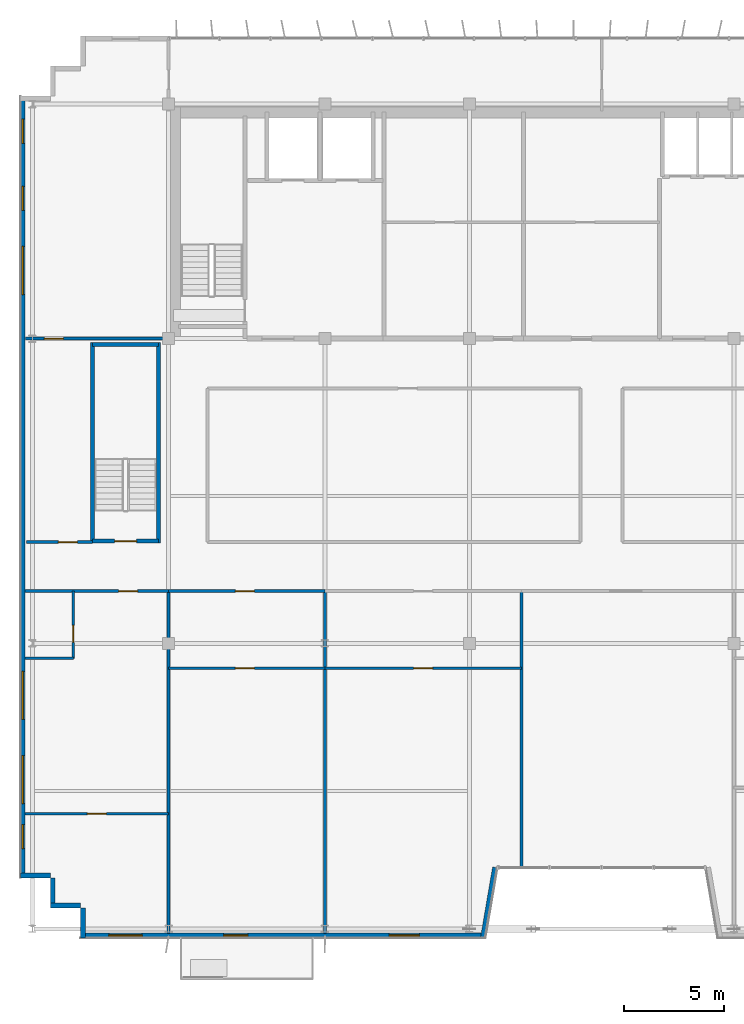
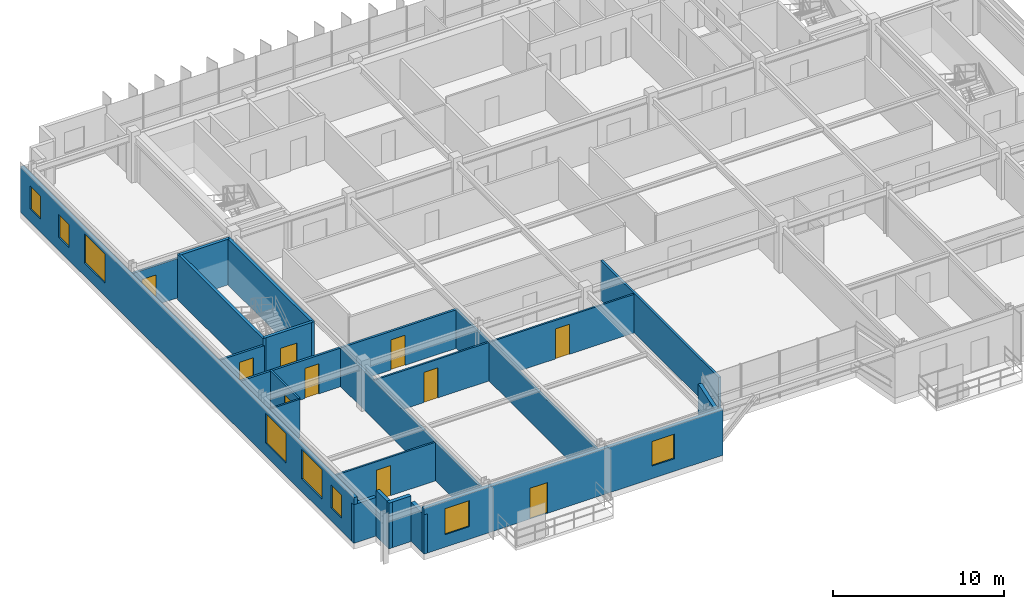
# One storey, part 21 of 28: 23 walls, 10 doors, 8 windows, 18 openings.
"""IFC4 building model written with IfcOpenShell, lengths in metres."""

from ifc_helpers import new_model, si_unit, direction, frame, frame_2d, origin, place, context, subcontext, project, spatial, rectangle, extrude, source, transform, mapped, material, layer, layer_set, type_object, element, fill, save


model = new_model("IFC4")

# Units and contexts
model_context = context("Model", 3, precision=1e-05, world=origin(), true_north=direction((0.0, 1.0)))
body_context = subcontext(model_context, "Body", "Model", "MODEL_VIEW")
ifc_project = project(units=[si_unit("LENGTHUNIT", "METRE"), si_unit("AREAUNIT", "SQUARE_METRE"), si_unit("VOLUMEUNIT", "CUBIC_METRE"), si_unit("PLANEANGLEUNIT", "RADIAN"), si_unit("MASSUNIT", "GRAM", prefix="KILO")], contexts=[model_context])

# Site, building, storey
site_placement = place(None, origin())
site = spatial("IfcSite", under=ifc_project, at=site_placement, CompositionType="ELEMENT")
building_placement = place(site_placement, origin())
building = spatial("IfcBuilding", under=site, at=building_placement, Name="Trelvane Seafront Commons", CompositionType="ELEMENT")
storey_placement = place(building_placement, frame((0.0, 0.0, 295.5)))
storey = spatial("IfcBuildingStorey", under=building, at=storey_placement, Name="L77", CompositionType="ELEMENT", Elevation=295.5)

# Walls
ifc_material_1 = material(Name="Precast concrete C40/50", Category="concrete")
ifc_layer_1 = layer(ifc_material_1, 0.239990234375, Name="ARCH-WALL-EXT240")
ifc_layer_set_1 = layer_set([ifc_layer_1], Name="Precast concrete C40/50")
wall_type_1 = type_object("IfcWallType", Name="ARCH-WALL-EXT240", PredefinedType="SOLIDWALL", material=ifc_layer_set_1)
for number, where, z_axis, x_axis, name in (
    (1, (11.199951171875, 5.1201171875, 0.0), (0.0, 0.0, 1.0), (-1.0, 0.0, 0.0), "EW-L77-01559"),
    (2, (9.820068359375, 5.0, 0.0), (0.0, 0.0, 1.0), (0.0, 1.0, 0.0), "EW-L77-01560"),
):
    element("IfcWall", number, at=place(storey_placement, frame(where, z_axis=z_axis, x_axis=x_axis)), inside=storey, type_object=wall_type_1, Name=name, PredefinedType="SOLIDWALL", context=body_context, shape_type="SweptSolid", body=[
        extrude(rectangle(XDim=1.5, YDim=0.239990234375, at=frame_2d((0.75, 0.0))), origin(), (0.0, 0.0, 1.0), 3.260009765625),
    ])
wall_1_placement = place(storey_placement, frame((9.699951171875, 6.6201171875, 0.0), z_axis=(0.0, 0.0, 1.0), x_axis=(-1.0, 0.0, 0.0)))
element("IfcWall", 3, at=wall_1_placement, inside=storey, type_object=wall_type_1, Name="EW-L77-01561", PredefinedType="SOLIDWALL", context=body_context, shape_type="SweptSolid", body=[
    extrude(rectangle(XDim=1.5, YDim=0.239990234375, at=frame_2d((0.75, 0.0))), origin(), (0.0, 0.0, 1.0), 2.760009765625),
])

# Wall, openings, windows
wall_2_placement = place(storey_placement, frame((8.320068359375, 6.5, 0.0), z_axis=(0.0, 0.0, 1.0), x_axis=(0.0, 1.0, 0.0)))
wall_2 = element("IfcWall", 4, at=wall_2_placement, inside=storey, type_object=wall_type_1, Name="EW-L77-01562", PredefinedType="SOLIDWALL", context=body_context, shape_type="SweptSolid", body=[
    extrude(rectangle(XDim=39.0, YDim=0.239990234375, at=frame_2d((19.5, 0.0))), origin(), (0.0, 0.0, 1.0), 3.260009765625),
])
opening_1_placement = place(wall_2_placement, frame((1.449951171875, 0.0, 0.919921875)))
opening_1 = element("IfcOpeningElement", 5, at=opening_1_placement, cuts=wall_2, Name="Opening W05", PredefinedType="OPENING", context=body_context, shape_type="SweptSolid", body=[
    extrude(rectangle(XDim=1.199951171875, YDim=1.64990234375, at=frame_2d((0.60009765625, 0.824951171875))), frame((0.0, 0.1298828125, 0.0), z_axis=(0.0, -1.0, 0.0), x_axis=(1.0, 0.0, 0.0)), (0.0, 0.0, 1.0), 0.260009765625),
])
opening_2_placement = place(wall_2_placement, frame((3.699951171875, 0.0, 0.919921875)))
opening_2 = element("IfcOpeningElement", 6, at=opening_2_placement, cuts=wall_2, Name="Opening W08", PredefinedType="OPENING", context=body_context, shape_type="SweptSolid", body=[
    extrude(rectangle(XDim=2.39990234375, YDim=2.10009765625, at=frame_2d((1.199951171875, 1.050048828125))), frame((0.0, 0.1298828125, 0.0), z_axis=(0.0, -1.0, 0.0), x_axis=(1.0, 0.0, 0.0)), (0.0, 0.0, 1.0), 0.260009765625),
])
opening_3_placement = place(wall_2_placement, frame((7.89990234375, 0.0, 0.919921875)))
opening_3 = element("IfcOpeningElement", 7, at=opening_3_placement, cuts=wall_2, Name="Opening W08", PredefinedType="OPENING", context=body_context, shape_type="SweptSolid", body=[
    extrude(rectangle(XDim=2.39990234375, YDim=2.10009765625, at=frame_2d((1.199951171875, 1.050048828125))), frame((0.0, 0.1298828125, 0.0), z_axis=(0.0, -1.0, 0.0), x_axis=(1.0, 0.0, 0.0)), (0.0, 0.0, 1.0), 0.260009765625),
])
opening_4_placement = place(wall_2_placement, frame((29.10009765625, 0.0, 0.919921875)))
opening_4 = element("IfcOpeningElement", 8, at=opening_4_placement, cuts=wall_2, Name="Opening W08", PredefinedType="OPENING", context=body_context, shape_type="SweptSolid", body=[
    extrude(rectangle(XDim=2.39990234375, YDim=2.10009765625, at=frame_2d((1.199951171875, 1.050048828125))), frame((0.0, 0.1298828125, 0.0), z_axis=(0.0, -1.0, 0.0), x_axis=(1.0, 0.0, 0.0)), (0.0, 0.0, 1.0), 0.260009765625),
])
opening_5_placement = place(wall_2_placement, frame((33.300048828125, 0.0, 0.919921875)))
opening_5 = element("IfcOpeningElement", 9, at=opening_5_placement, cuts=wall_2, Name="Opening W05", PredefinedType="OPENING", context=body_context, shape_type="SweptSolid", body=[
    extrude(rectangle(XDim=1.199951171875, YDim=1.64990234375, at=frame_2d((0.60009765625, 0.824951171875))), frame((0.0, 0.1298828125, 0.0), z_axis=(0.0, -1.0, 0.0), x_axis=(1.0, 0.0, 0.0)), (0.0, 0.0, 1.0), 0.260009765625),
])
opening_6_placement = place(wall_2_placement, frame((36.64990234375, 0.0, 0.919921875)))
opening_6 = element("IfcOpeningElement", 10, at=opening_6_placement, cuts=wall_2, Name="Opening W05", PredefinedType="OPENING", context=body_context, shape_type="SweptSolid", body=[
    extrude(rectangle(XDim=1.199951171875, YDim=1.64990234375, at=frame_2d((0.60009765625, 0.824951171875))), frame((0.0, 0.1298828125, 0.0), z_axis=(0.0, -1.0, 0.0), x_axis=(1.0, 0.0, 0.0)), (0.0, 0.0, 1.0), 0.260009765625),
])
ifc_material_2 = material(Name="Low-E coastal double glazing", Category="glass")
window_type_1 = type_object("IfcWindowType", Name="ARCH-WIN-W08", PartitioningType="SINGLE_PANEL", PredefinedType="WINDOW", material=ifc_material_2)
shared_shape_1 = source(origin(), body_context, "Body", "SweptSolid", [
    extrude(rectangle(XDim=2.39990234375, YDim=2.10009765625, at=frame_2d((1.199951171875, 1.050048828125))), frame((0.0, 0.030029296875, 0.0), z_axis=(0.0, -1.0, 0.0), x_axis=(1.0, 0.0, 0.0)), (0.0, 0.0, 1.0), 0.06005859375),
])
window_1_placement = place(opening_2_placement, origin())
window_1 = element("IfcWindow", 11, at=window_1_placement, inside=storey, type_object=window_type_1, Name="WIN-L77-EW-01841", OverallHeight=2.10009765625, OverallWidth=2.39990234375, PartitioningType="SINGLE_PANEL", PredefinedType="WINDOW", context=body_context, shape_type="MappedRepresentation", body=[
    mapped(shared_shape_1, transform((0.0, 0.0, 0.0), x_axis=(1.0, 0.0, 0.0), y_axis=(0.0, 1.0, 0.0), z_axis=(0.0, 0.0, 1.0), scale=1.0)),
])
fill(opening_2, window_1)
window_2_placement = place(opening_3_placement, origin())
window_2 = element("IfcWindow", 12, at=window_2_placement, inside=storey, type_object=window_type_1, Name="WIN-L77-EW-01842", OverallHeight=2.10009765625, OverallWidth=2.39990234375, PartitioningType="SINGLE_PANEL", PredefinedType="WINDOW", context=body_context, shape_type="MappedRepresentation", body=[
    mapped(shared_shape_1, transform((0.0, 0.0, 0.0), x_axis=(1.0, 0.0, 0.0), y_axis=(0.0, 1.0, 0.0), z_axis=(0.0, 0.0, 1.0), scale=1.0)),
])
fill(opening_3, window_2)
window_3_placement = place(opening_4_placement, origin())
window_3 = element("IfcWindow", 13, at=window_3_placement, inside=storey, type_object=window_type_1, Name="WIN-L77-EW-01843", OverallHeight=2.10009765625, OverallWidth=2.39990234375, PartitioningType="SINGLE_PANEL", PredefinedType="WINDOW", context=body_context, shape_type="MappedRepresentation", body=[
    mapped(shared_shape_1, transform((0.0, 0.0, 0.0), x_axis=(1.0, 0.0, 0.0), y_axis=(0.0, 1.0, 0.0), z_axis=(0.0, 0.0, 1.0), scale=1.0)),
])
fill(opening_4, window_3)
window_type_2 = type_object("IfcWindowType", Name="ARCH-WIN-W05", PartitioningType="SINGLE_PANEL", PredefinedType="WINDOW", material=ifc_material_2)
shared_shape_2 = source(origin(), body_context, "Body", "SweptSolid", [
    extrude(rectangle(XDim=1.199951171875, YDim=1.64990234375, at=frame_2d((0.60009765625, 0.824951171875))), frame((0.0, 0.030029296875, 0.0), z_axis=(0.0, -1.0, 0.0), x_axis=(1.0, 0.0, 0.0)), (0.0, 0.0, 1.0), 0.06005859375),
])
window_4_placement = place(opening_1_placement, origin())
window_4 = element("IfcWindow", 14, at=window_4_placement, inside=storey, type_object=window_type_2, Name="WIN-L77-EW-01840", OverallHeight=1.64990234375, OverallWidth=1.199951171875, PartitioningType="SINGLE_PANEL", PredefinedType="WINDOW", context=body_context, shape_type="MappedRepresentation", body=[
    mapped(shared_shape_2, transform((0.0, 0.0, 0.0), x_axis=(1.0, 0.0, 0.0), y_axis=(0.0, 1.0, 0.0), z_axis=(0.0, 0.0, 1.0), scale=1.0)),
])
fill(opening_1, window_4)
window_5_placement = place(opening_5_placement, origin())
window_5 = element("IfcWindow", 15, at=window_5_placement, inside=storey, type_object=window_type_2, Name="WIN-L77-EW-01844", OverallHeight=1.64990234375, OverallWidth=1.199951171875, PartitioningType="SINGLE_PANEL", PredefinedType="WINDOW", context=body_context, shape_type="MappedRepresentation", body=[
    mapped(shared_shape_2, transform((0.0, 0.0, 0.0), x_axis=(1.0, 0.0, 0.0), y_axis=(0.0, 1.0, 0.0), z_axis=(0.0, 0.0, 1.0), scale=1.0)),
])
fill(opening_5, window_5)
window_6_placement = place(opening_6_placement, origin())
window_6 = element("IfcWindow", 16, at=window_6_placement, inside=storey, type_object=window_type_2, Name="WIN-L77-EW-01845", OverallHeight=1.64990234375, OverallWidth=1.199951171875, PartitioningType="SINGLE_PANEL", PredefinedType="WINDOW", context=body_context, shape_type="MappedRepresentation", body=[
    mapped(shared_shape_2, transform((0.0, 0.0, 0.0), x_axis=(1.0, 0.0, 0.0), y_axis=(0.0, 1.0, 0.0), z_axis=(0.0, 0.0, 1.0), scale=1.0)),
])
fill(opening_6, window_6)

# Wall
wall_3_placement = place(storey_placement, frame((31.881591796875, 7.020263671875, 0.0), z_axis=(0.0, 0.0, 1.0), x_axis=(-0.168923741424, -0.98562912375, 0.0)))
element("IfcWall", 17, at=wall_3_placement, inside=storey, type_object=wall_type_1, Name="EW-L77-01578", PredefinedType="SOLIDWALL", context=body_context, shape_type="SweptSolid", body=[
    extrude(rectangle(XDim=3.551025390625, YDim=0.239990234375, at=frame_2d((1.775390625, 0.0))), origin(), (0.0, 0.0, 1.0), 2.81005859375),
])

# Wall, openings, door, windows
wall_4_placement = place(storey_placement, frame((31.39990234375, 3.6201171875, 0.0), z_axis=(0.0, 0.0, 1.0), x_axis=(-1.0, 0.0, 0.0)))
wall_4 = element("IfcWall", 18, at=wall_4_placement, inside=storey, type_object=wall_type_1, Name="EW-L77-01579", PredefinedType="SOLIDWALL", context=body_context, shape_type="SweptSolid", body=[
    extrude(rectangle(XDim=20.199951171875, YDim=0.239990234375, at=frame_2d((10.10009765625, 0.0))), origin(), (0.0, 0.0, 1.0), 3.260009765625),
])
opening_7_placement = place(wall_4_placement, frame((3.294921875, 0.0, 0.89990234375)))
opening_7 = element("IfcOpeningElement", 19, at=opening_7_placement, cuts=wall_4, Name="Opening W03", PredefinedType="OPENING", context=body_context, shape_type="SweptSolid", body=[
    extrude(rectangle(XDim=1.5, YDim=1.75, at=frame_2d((0.75, 0.875))), frame((0.0, 0.1298828125, 0.0), z_axis=(0.0, -1.0, 0.0), x_axis=(1.0, 0.0, 0.0)), (0.0, 0.0, 1.0), 0.260009765625),
])
opening_8_placement = place(wall_4_placement, frame((11.85107421875, 0.0, 0.0)))
opening_8 = element("IfcOpeningElement", 20, at=opening_8_placement, cuts=wall_4, Name="Opening BD-L77-158", PredefinedType="OPENING", context=body_context, shape_type="SweptSolid", body=[
    extrude(rectangle(XDim=1.199951171875, YDim=2.199951171875, at=frame_2d((0.60009765625, 1.10009765625))), frame((0.0, 0.1298828125, 0.0), z_axis=(0.0, -1.0, 0.0), x_axis=(1.0, 0.0, 0.0)), (0.0, 0.0, 1.0), 0.260009765625),
])
opening_9_placement = place(wall_4_placement, frame((17.1298828125, 0.0, 0.89990234375)))
opening_9 = element("IfcOpeningElement", 21, at=opening_9_placement, cuts=wall_4, Name="Opening W07", PredefinedType="OPENING", context=body_context, shape_type="SweptSolid", body=[
    extrude(rectangle(XDim=1.64990234375, YDim=1.85009765625, at=frame_2d((0.824951171875, 0.925048828125))), frame((0.0, 0.1298828125, 0.0), z_axis=(0.0, -1.0, 0.0), x_axis=(1.0, 0.0, 0.0)), (0.0, 0.0, 1.0), 0.260009765625),
])
ifc_material_3 = material(Name="Powder-coated aluminium frame", Category="aluminium")
door_type_1 = type_object("IfcDoorType", Name="ARCH-DR-BAL1200", OperationType="NOTDEFINED", PredefinedType="DOOR", material=ifc_material_3)
shared_shape_3 = source(origin(), body_context, "Body", "SweptSolid", [
    extrude(rectangle(XDim=1.199951171875, YDim=2.199951171875, at=frame_2d((0.60009765625, 1.10009765625))), frame((0.0, 0.02490234375, 0.0), z_axis=(0.0, -1.0, 0.0), x_axis=(1.0, 0.0, 0.0)), (0.0, 0.0, 1.0), 0.050048828125),
])
door_1_placement = place(opening_8_placement, origin())
door_1 = element("IfcDoor", 22, at=door_1_placement, inside=storey, type_object=door_type_1, Name="L77 Balcony Terrace Access Door", OperationType="SINGLE_SWING_LEFT", OverallHeight=2.199951171875, OverallWidth=1.199951171875, PredefinedType="DOOR", context=body_context, shape_type="MappedRepresentation", body=[
    mapped(shared_shape_3, transform((0.0, 0.0, 0.0), x_axis=(1.0, 0.0, 0.0), y_axis=(0.0, 1.0, 0.0), z_axis=(0.0, 0.0, 1.0), scale=1.0)),
])
fill(opening_8, door_1)
window_type_3 = type_object("IfcWindowType", Name="ARCH-WIN-W03", PartitioningType="SINGLE_PANEL", PredefinedType="WINDOW", material=ifc_material_2)
shared_shape_4 = source(origin(), body_context, "Body", "SweptSolid", [
    extrude(rectangle(XDim=1.5, YDim=1.75, at=frame_2d((0.75, 0.875))), frame((0.0, 0.030029296875, 0.0), z_axis=(0.0, -1.0, 0.0), x_axis=(1.0, 0.0, 0.0)), (0.0, 0.0, 1.0), 0.06005859375),
])
window_7_placement = place(opening_7_placement, origin())
window_7 = element("IfcWindow", 23, at=window_7_placement, inside=storey, type_object=window_type_3, Name="WIN-L77-01854", OverallHeight=1.75, OverallWidth=1.5, PartitioningType="SINGLE_PANEL", PredefinedType="WINDOW", context=body_context, shape_type="MappedRepresentation", body=[
    mapped(shared_shape_4, transform((0.0, 0.0, 0.0), x_axis=(1.0, 0.0, 0.0), y_axis=(0.0, 1.0, 0.0), z_axis=(0.0, 0.0, 1.0), scale=1.0)),
])
fill(opening_7, window_7)
window_type_4 = type_object("IfcWindowType", Name="ARCH-WIN-W07", PartitioningType="SINGLE_PANEL", PredefinedType="WINDOW", material=ifc_material_2)
shared_shape_5 = source(origin(), body_context, "Body", "SweptSolid", [
    extrude(rectangle(XDim=1.64990234375, YDim=1.85009765625, at=frame_2d((0.824951171875, 0.925048828125))), frame((0.0, 0.030029296875, 0.0), z_axis=(0.0, -1.0, 0.0), x_axis=(1.0, 0.0, 0.0)), (0.0, 0.0, 1.0), 0.06005859375),
])
window_8_placement = place(opening_9_placement, origin())
window_8 = element("IfcWindow", 24, at=window_8_placement, inside=storey, type_object=window_type_4, Name="WIN-L77-01855", OverallHeight=1.85009765625, OverallWidth=1.64990234375, PartitioningType="SINGLE_PANEL", PredefinedType="WINDOW", context=body_context, shape_type="MappedRepresentation", body=[
    mapped(shared_shape_5, transform((0.0, 0.0, 0.0), x_axis=(1.0, 0.0, 0.0), y_axis=(0.0, 1.0, 0.0), z_axis=(0.0, 0.0, 1.0), scale=1.0)),
])
fill(opening_9, window_8)

# Wall
wall_5_placement = place(storey_placement, frame((11.320068359375, 3.5, 0.0), z_axis=(0.0, 0.0, 1.0), x_axis=(0.0, 1.0, 0.0)))
element("IfcWall", 25, at=wall_5_placement, inside=storey, type_object=wall_type_1, Name="EW-L77-01580", PredefinedType="SOLIDWALL", context=body_context, shape_type="SweptSolid", body=[
    extrude(rectangle(XDim=1.5, YDim=0.239990234375, at=frame_2d((0.75, 0.0))), origin(), (0.0, 0.0, 1.0), 2.81005859375),
])

# Wall, opening, door
ifc_material_4 = material(Name="Gypsum Drywall Acoustic Partition")
ifc_layer_2 = layer(ifc_material_4, 0.1201171875, Name="ARCH-WALL-PART120")
ifc_layer_set_2 = layer_set([ifc_layer_2], Name="Gypsum Drywall Acoustic Partition")
wall_type_2 = type_object("IfcWallType", Name="ARCH-WALL-PART120", PredefinedType="PARTITIONING", material=ifc_layer_set_2)
wall_6_placement = place(storey_placement, frame((10.840087890625, 17.449951171875, 0.0), z_axis=(0.0, 0.0, 1.0), x_axis=(0.0, 1.0, 0.0)))
wall_6 = element("IfcWall", 26, at=wall_6_placement, inside=storey, type_object=wall_type_2, Name="W-L77-U1-BE-064", PredefinedType="PARTITIONING", context=body_context, shape_type="SweptSolid", body=[
    extrude(rectangle(XDim=3.35009765625, YDim=0.1201171875, at=frame_2d((1.675048828125, 0.0))), origin(), (0.0, 0.0, 1.0), 2.81005859375),
])
opening_10_placement = place(wall_6_placement, frame((0.800048828125, 0.0, 0.0)))
opening_10 = element("IfcOpeningElement", 27, at=opening_10_placement, cuts=wall_6, Name="Opening D-L77-34", PredefinedType="OPENING", context=body_context, shape_type="SweptSolid", body=[
    extrude(rectangle(XDim=0.85009765625, YDim=2.10009765625, at=frame_2d((0.425048828125, 1.050048828125))), frame((0.0, 0.070068359375, 0.0), z_axis=(0.0, -1.0, 0.0), x_axis=(1.0, 0.0, 0.0)), (0.0, 0.0, 1.0), 0.14013671875),
])
ifc_material_5 = material(Name="Acoustic timber door leaf", Category="wood")
door_type_2 = type_object("IfcDoorType", Name="ARCH-DR-INT850", OperationType="NOTDEFINED", PredefinedType="DOOR", material=ifc_material_5)
shared_shape_6 = source(origin(), body_context, "Body", "SweptSolid", [
    extrude(rectangle(XDim=0.85009765625, YDim=2.10009765625, at=frame_2d((0.425048828125, 1.050048828125))), frame((0.0, 0.02490234375, 0.0), z_axis=(0.0, -1.0, 0.0), x_axis=(1.0, 0.0, 0.0)), (0.0, 0.0, 1.0), 0.050048828125),
])
door_2_placement = place(opening_10_placement, origin())
door_2 = element("IfcDoor", 28, at=door_2_placement, inside=storey, type_object=door_type_2, Name="L77 Door 34", OperationType="SINGLE_SWING_RIGHT", OverallHeight=2.10009765625, OverallWidth=0.85009765625, PredefinedType="DOOR", context=body_context, shape_type="MappedRepresentation", body=[
    mapped(shared_shape_6, transform((0.0, 0.0, 0.0), x_axis=(1.0, 0.0, 0.0), y_axis=(0.0, 1.0, 0.0), z_axis=(0.0, 0.0, 1.0), scale=1.0)),
])
fill(opening_10, door_2)

# Wall
wall_7_placement = place(storey_placement, frame((8.43994140625, 17.449951171875, 0.0), z_axis=(0.0, 0.0, 1.0), x_axis=(1.0, 0.0, 0.0)))
element("IfcWall", 29, at=wall_7_placement, inside=storey, type_object=wall_type_2, Name="W-L77-U1-BS-065", PredefinedType="PARTITIONING", context=body_context, shape_type="SweptSolid", body=[
    extrude(rectangle(XDim=2.400146484375, YDim=0.1201171875, at=frame_2d((1.2001953125, 0.0))), origin(), (0.0, 0.0, 1.0), 2.760009765625),
])

# Wall, opening, door
wall_8_placement = place(storey_placement, frame((8.43994140625, 9.699951171875, 0.0), z_axis=(0.0, 0.0, 1.0), x_axis=(1.0, 0.0, 0.0)))
wall_8 = element("IfcWall", 30, at=wall_8_placement, inside=storey, type_object=wall_type_2, Name="W-L77-U1-YM-1-067", PredefinedType="PARTITIONING", context=body_context, shape_type="SweptSolid", body=[
    extrude(rectangle(XDim=7.16015625, YDim=0.1201171875, at=frame_2d((3.580078125, 0.0))), origin(), (0.0, 0.0, 1.0), 2.760009765625),
])
opening_11_placement = place(wall_8_placement, frame((3.10498046875, 0.0, 0.0)))
opening_11 = element("IfcOpeningElement", 31, at=opening_11_placement, cuts=wall_8, Name="Opening D-L77-36", PredefinedType="OPENING", context=body_context, shape_type="SweptSolid", body=[
    extrude(rectangle(XDim=0.949951171875, YDim=2.14990234375, at=frame_2d((0.47509765625, 1.074951171875))), frame((0.0, 0.070068359375, 0.0), z_axis=(0.0, -1.0, 0.0), x_axis=(1.0, 0.0, 0.0)), (0.0, 0.0, 1.0), 0.14013671875),
])
door_type_3 = type_object("IfcDoorType", Name="ARCH-DR-INT950", OperationType="NOTDEFINED", PredefinedType="DOOR", material=ifc_material_5)
shared_shape_7 = source(origin(), body_context, "Body", "SweptSolid", [
    extrude(rectangle(XDim=0.949951171875, YDim=2.14990234375, at=frame_2d((0.47509765625, 1.074951171875))), frame((0.0, 0.02490234375, 0.0), z_axis=(0.0, -1.0, 0.0), x_axis=(1.0, 0.0, 0.0)), (0.0, 0.0, 1.0), 0.050048828125),
])
door_3_placement = place(opening_11_placement, origin())
door_3 = element("IfcDoor", 32, at=door_3_placement, inside=storey, type_object=door_type_3, Name="L77 Door 36", OperationType="SINGLE_SWING_RIGHT", OverallHeight=2.14990234375, OverallWidth=0.949951171875, PredefinedType="DOOR", context=body_context, shape_type="MappedRepresentation", body=[
    mapped(shared_shape_7, transform((0.0, 0.0, 0.0), x_axis=(1.0, 0.0, 0.0), y_axis=(0.0, 1.0, 0.0), z_axis=(0.0, 0.0, 1.0), scale=1.0)),
])
fill(opening_11, door_3)

wall_9_placement = place(storey_placement, frame((15.60009765625, 16.949951171875, 0.0), z_axis=(0.0, 0.0, 1.0), x_axis=(1.0, 0.0, 0.0)))
wall_9 = element("IfcWall", 33, at=wall_9_placement, inside=storey, type_object=wall_type_2, Name="W-L77-U2-DIV-069", PredefinedType="PARTITIONING", context=body_context, shape_type="SweptSolid", body=[
    extrude(rectangle(XDim=7.7998046875, YDim=0.1201171875, at=frame_2d((3.89990234375, 0.0))), origin(), (0.0, 0.0, 1.0), 2.760009765625),
])
opening_12_placement = place(wall_9_placement, frame((3.3330078125, 0.0, 0.0)))
opening_12 = element("IfcOpeningElement", 34, at=opening_12_placement, cuts=wall_9, Name="Opening D-L77-38", PredefinedType="OPENING", context=body_context, shape_type="SweptSolid", body=[
    extrude(rectangle(XDim=0.949951171875, YDim=2.14990234375, at=frame_2d((0.47509765625, 1.074951171875))), frame((0.0, 0.070068359375, 0.0), z_axis=(0.0, -1.0, 0.0), x_axis=(1.0, 0.0, 0.0)), (0.0, 0.0, 1.0), 0.14013671875),
])
door_4_placement = place(opening_12_placement, origin())
door_4 = element("IfcDoor", 35, at=door_4_placement, inside=storey, type_object=door_type_3, Name="L77 Door 38", OperationType="SINGLE_SWING_RIGHT", OverallHeight=2.14990234375, OverallWidth=0.949951171875, PredefinedType="DOOR", context=body_context, shape_type="MappedRepresentation", body=[
    mapped(shared_shape_7, transform((0.0, 0.0, 0.0), x_axis=(1.0, 0.0, 0.0), y_axis=(0.0, 1.0, 0.0), z_axis=(0.0, 0.0, 1.0), scale=1.0)),
])
fill(opening_12, door_4)

wall_10_placement = place(storey_placement, frame((23.39990234375, 16.949951171875, 0.0), z_axis=(0.0, 0.0, 1.0), x_axis=(1.0, 0.0, 0.0)))
wall_10 = element("IfcWall", 36, at=wall_10_placement, inside=storey, type_object=wall_type_2, Name="W-L77-U3-DIV-071", PredefinedType="PARTITIONING", context=body_context, shape_type="SweptSolid", body=[
    extrude(rectangle(XDim=9.800048828125, YDim=0.1201171875, at=frame_2d((4.89990234375, 0.0))), origin(), (0.0, 0.0, 1.0), 2.760009765625),
])
opening_13_placement = place(wall_10_placement, frame((4.425048828125, 0.0, 0.0)))
opening_13 = element("IfcOpeningElement", 37, at=opening_13_placement, cuts=wall_10, Name="Opening D-L77-40", PredefinedType="OPENING", context=body_context, shape_type="SweptSolid", body=[
    extrude(rectangle(XDim=0.949951171875, YDim=2.14990234375, at=frame_2d((0.47509765625, 1.074951171875))), frame((0.0, 0.070068359375, 0.0), z_axis=(0.0, -1.0, 0.0), x_axis=(1.0, 0.0, 0.0)), (0.0, 0.0, 1.0), 0.14013671875),
])
door_5_placement = place(opening_13_placement, origin())
door_5 = element("IfcDoor", 38, at=door_5_placement, inside=storey, type_object=door_type_3, Name="L77 Door 40", OperationType="SINGLE_SWING_RIGHT", OverallHeight=2.14990234375, OverallWidth=0.949951171875, PredefinedType="DOOR", context=body_context, shape_type="MappedRepresentation", body=[
    mapped(shared_shape_7, transform((0.0, 0.0, 0.0), x_axis=(1.0, 0.0, 0.0), y_axis=(0.0, 1.0, 0.0), z_axis=(0.0, 0.0, 1.0), scale=1.0)),
])
fill(opening_13, door_5)

ifc_layer_3 = layer(ifc_material_4, 0.14990234375, Name="ARCH-WALL-PART150")
ifc_layer_set_3 = layer_set([ifc_layer_3], Name="Gypsum Drywall Acoustic Partition")
wall_type_3 = type_object("IfcWallType", Name="ARCH-WALL-PART150", PredefinedType="PARTITIONING", material=ifc_layer_set_3)
wall_11_placement = place(storey_placement, frame((8.5, 23.25, 0.0), z_axis=(0.0, 0.0, 1.0), x_axis=(1.0, 0.0, 0.0)))
wall_11 = element("IfcWall", 39, at=wall_11_placement, inside=storey, type_object=wall_type_3, Name="W-L77-L77-WO-S-051", PredefinedType="PARTITIONING", context=body_context, shape_type="SweptSolid", body=[
    extrude(rectangle(XDim=3.300048828125, YDim=0.14990234375, at=frame_2d((1.64990234375, 0.0))), origin(), (0.0, 0.0, 1.0), 2.760009765625),
])
opening_14_placement = place(wall_11_placement, frame((1.60009765625, 0.0, 0.0)))
opening_14 = element("IfcOpeningElement", 40, at=opening_14_placement, cuts=wall_11, Name="Opening D-L77-27", PredefinedType="OPENING", context=body_context, shape_type="SweptSolid", body=[
    extrude(rectangle(XDim=0.949951171875, YDim=2.14990234375, at=frame_2d((0.47509765625, 1.074951171875))), frame((0.0, 0.0849609375, 0.0), z_axis=(0.0, -1.0, 0.0), x_axis=(1.0, 0.0, 0.0)), (0.0, 0.0, 1.0), 0.169921875),
])
door_6_placement = place(opening_14_placement, origin())
door_6 = element("IfcDoor", 41, at=door_6_placement, inside=storey, type_object=door_type_3, Name="L77 Door 27", OperationType="SINGLE_SWING_LEFT", OverallHeight=2.14990234375, OverallWidth=0.949951171875, PredefinedType="DOOR", context=body_context, shape_type="MappedRepresentation", body=[
    mapped(shared_shape_7, transform((0.0, 0.0, 0.0), x_axis=(1.0, 0.0, 0.0), y_axis=(0.0, 1.0, 0.0), z_axis=(0.0, 0.0, 1.0), scale=1.0)),
])
fill(opening_14, door_6)

wall_12_placement = place(storey_placement, frame((8.449951171875, 33.39990234375, 0.0), z_axis=(0.0, 0.0, 1.0), x_axis=(1.0, 0.0, 0.0)))
wall_12 = element("IfcWall", 42, at=wall_12_placement, inside=storey, type_object=wall_type_3, Name="W-L77-NW-ENT-053", PredefinedType="PARTITIONING", context=body_context, shape_type="SweptSolid", body=[
    extrude(rectangle(XDim=7.150146484375, YDim=0.14990234375, at=frame_2d((3.5751953125, 0.0))), origin(), (0.0, 0.0, 1.0), 2.81005859375),
])
opening_15_placement = place(wall_12_placement, frame((0.949951171875, 0.0, 0.0)))
opening_15 = element("IfcOpeningElement", 43, at=opening_15_placement, cuts=wall_12, Name="Opening FD-L77-29", PredefinedType="OPENING", context=body_context, shape_type="SweptSolid", body=[
    extrude(rectangle(XDim=0.949951171875, YDim=2.14990234375, at=frame_2d((0.47509765625, 1.074951171875))), frame((0.0, 0.0849609375, 0.0), z_axis=(0.0, -1.0, 0.0), x_axis=(1.0, 0.0, 0.0)), (0.0, 0.0, 1.0), 0.169921875),
])
door_type_4 = type_object("IfcDoorType", Name="ARCH-DR-FD60-950", OperationType="NOTDEFINED", PredefinedType="DOOR", material=ifc_material_3)
door_7_placement = place(opening_15_placement, origin())
door_7 = element("IfcDoor", 44, at=door_7_placement, inside=storey, type_object=door_type_4, Name="L77 NW Suite Entrance Door", OperationType="SINGLE_SWING_LEFT", OverallHeight=2.14990234375, OverallWidth=0.949951171875, PredefinedType="DOOR", context=body_context, shape_type="MappedRepresentation", body=[
    mapped(shared_shape_7, transform((0.0, 0.0, 0.0), x_axis=(1.0, 0.0, 0.0), y_axis=(0.0, 1.0, 0.0), z_axis=(0.0, 0.0, 1.0), scale=1.0)),
])
fill(opening_15, door_7)

# Walls
for number, where, z_axis, x_axis, name in (
    (45, (15.60009765625, 3.72509765625, 0.0), (0.0, 0.0, 1.0), (0.0, 1.0, 0.0), "W-L77-PW-1-058"),
    (46, (23.39990234375, 3.72509765625, 0.0), (0.0, 0.0, 1.0), (0.0, 1.0, 0.0), "W-L77-PW-2-059"),
):
    element("IfcWall", number, at=place(storey_placement, frame(where, z_axis=z_axis, x_axis=x_axis)), inside=storey, type_object=wall_type_3, Name=name, PredefinedType="PARTITIONING", context=body_context, shape_type="SweptSolid", body=[
        extrude(rectangle(XDim=17.074951171875, YDim=0.14990234375, at=frame_2d((8.53759765625, 0.0))), origin(), (0.0, 0.0, 1.0), 2.760009765625),
    ])
wall_13_placement = place(storey_placement, frame((33.199951171875, 7.010009765625, 0.0), z_axis=(0.0, 0.0, 1.0), x_axis=(0.0, 1.0, 0.0)))
element("IfcWall", 47, at=wall_13_placement, inside=storey, type_object=wall_type_3, Name="W-L77-PW-3-060", PredefinedType="PARTITIONING", context=body_context, shape_type="SweptSolid", body=[
    extrude(rectangle(XDim=13.7900390625, YDim=0.14990234375, at=frame_2d((6.89501953125, 0.0))), origin(), (0.0, 0.0, 1.0), 2.81005859375),
])

# Wall, opening, door
wall_14_placement = place(storey_placement, frame((8.425048828125, 20.800048828125, 0.0), z_axis=(0.0, 0.0, 1.0), x_axis=(1.0, 0.0, 0.0)))
wall_14 = element("IfcWall", 48, at=wall_14_placement, inside=storey, type_object=wall_type_3, Name="W-L77-CS-BAY-1-066", PredefinedType="PARTITIONING", context=body_context, shape_type="SweptSolid", body=[
    extrude(rectangle(XDim=7.175048828125, YDim=0.14990234375, at=frame_2d((3.58740234375, 0.0))), origin(), (0.0, 0.0, 1.0), 2.760009765625),
])
opening_16_placement = place(wall_14_placement, frame((4.680908203125, 0.0, 0.0)))
opening_16 = element("IfcOpeningElement", 49, at=opening_16_placement, cuts=wall_14, Name="Opening FD-L77-35", PredefinedType="OPENING", context=body_context, shape_type="SweptSolid", body=[
    extrude(rectangle(XDim=0.949951171875, YDim=2.14990234375, at=frame_2d((0.47509765625, 1.074951171875))), frame((0.0, 0.0849609375, 0.0), z_axis=(0.0, -1.0, 0.0), x_axis=(1.0, 0.0, 0.0)), (0.0, 0.0, 1.0), 0.169921875),
])
door_8_placement = place(opening_16_placement, origin())
door_8 = element("IfcDoor", 50, at=door_8_placement, inside=storey, type_object=door_type_4, Name="L77 Unit 01 Entrance Door", OperationType="SINGLE_SWING_LEFT", OverallHeight=2.14990234375, OverallWidth=0.949951171875, PredefinedType="DOOR", context=body_context, shape_type="MappedRepresentation", body=[
    mapped(shared_shape_7, transform((0.0, 0.0, 0.0), x_axis=(1.0, 0.0, 0.0), y_axis=(0.0, 1.0, 0.0), z_axis=(0.0, 0.0, 1.0), scale=1.0)),
])
fill(opening_16, door_8)

wall_15_placement = place(storey_placement, frame((15.60009765625, 20.800048828125, 0.0), z_axis=(0.0, 0.0, 1.0), x_axis=(1.0, 0.0, 0.0)))
wall_15 = element("IfcWall", 51, at=wall_15_placement, inside=storey, type_object=wall_type_3, Name="W-L77-CS-BAY-2-068", PredefinedType="PARTITIONING", context=body_context, shape_type="SweptSolid", body=[
    extrude(rectangle(XDim=7.7998046875, YDim=0.14990234375, at=frame_2d((3.89990234375, 0.0))), origin(), (0.0, 0.0, 1.0), 2.760009765625),
])
opening_17_placement = place(wall_15_placement, frame((3.3330078125, 0.0, 0.0)))
opening_17 = element("IfcOpeningElement", 52, at=opening_17_placement, cuts=wall_15, Name="Opening FD-L77-37", PredefinedType="OPENING", context=body_context, shape_type="SweptSolid", body=[
    extrude(rectangle(XDim=0.949951171875, YDim=2.14990234375, at=frame_2d((0.47509765625, 1.074951171875))), frame((0.0, 0.0849609375, 0.0), z_axis=(0.0, -1.0, 0.0), x_axis=(1.0, 0.0, 0.0)), (0.0, 0.0, 1.0), 0.169921875),
])
door_9_placement = place(opening_17_placement, origin())
door_9 = element("IfcDoor", 53, at=door_9_placement, inside=storey, type_object=door_type_4, Name="L77 Bay 02 Entrance Door", OperationType="SINGLE_SWING_LEFT", OverallHeight=2.14990234375, OverallWidth=0.949951171875, PredefinedType="DOOR", context=body_context, shape_type="MappedRepresentation", body=[
    mapped(shared_shape_7, transform((0.0, 0.0, 0.0), x_axis=(1.0, 0.0, 0.0), y_axis=(0.0, 1.0, 0.0), z_axis=(0.0, 0.0, 1.0), scale=1.0)),
])
fill(opening_17, door_9)

# Walls
ifc_material_6 = material(Name="Concrete C50/60", Category="concrete")
ifc_layer_4 = layer(ifc_material_6, 0.199951171875, Name="STR-WALL-STAIR200")
ifc_layer_set_4 = layer_set([ifc_layer_4], Name="Concrete C50/60")
wall_type_4 = type_object("IfcWallType", Name="STR-WALL-STAIR200", PredefinedType="SHEAR", material=ifc_layer_set_4)
for number, where, z_axis, x_axis, name in (
    (54, (11.800048828125, 23.199951171875, 0.0), (0.0, 0.0, 1.0), (0.0, 1.0, 0.0), "W-L77-ST5-W-008"),
    (55, (15.10009765625, 23.199951171875, 0.0), (0.0, 0.0, 1.0), (0.0, 1.0, 0.0), "W-L77-ST5-E-009"),
):
    element("IfcWall", number, at=place(storey_placement, frame(where, z_axis=z_axis, x_axis=x_axis)), inside=storey, type_object=wall_type_4, Name=name, PredefinedType="SHEAR", context=body_context, shape_type="SweptSolid", body=[
        extrude(rectangle(XDim=10.0, YDim=0.199951171875, at=frame_2d((5.0, 0.0))), origin(), (0.0, 0.0, 1.0), 3.260009765625),
    ])
wall_16_placement = place(storey_placement, frame((11.800048828125, 33.10009765625, 0.0), z_axis=(0.0, 0.0, 1.0), x_axis=(1.0, 0.0, 0.0)))
element("IfcWall", 56, at=wall_16_placement, inside=storey, type_object=wall_type_4, Name="W-L77-ST5-N-010", PredefinedType="SHEAR", context=body_context, shape_type="SweptSolid", body=[
    extrude(rectangle(XDim=3.300048828125, YDim=0.199951171875, at=frame_2d((1.64990234375, 0.0))), origin(), (0.0, 0.0, 1.0), 3.260009765625),
])

# Wall, opening, door
wall_17_placement = place(storey_placement, frame((11.800048828125, 23.300048828125, 0.0), z_axis=(0.0, 0.0, 1.0), x_axis=(1.0, 0.0, 0.0)))
wall_17 = element("IfcWall", 57, at=wall_17_placement, inside=storey, type_object=wall_type_4, Name="W-L77-ST5-S-011", PredefinedType="SHEAR", context=body_context, shape_type="SweptSolid", body=[
    extrude(rectangle(XDim=3.300048828125, YDim=0.199951171875, at=frame_2d((1.64990234375, 0.0))), origin(), (0.0, 0.0, 1.0), 3.260009765625),
])
opening_18_placement = place(wall_17_placement, frame((1.10009765625, 0.0, 0.0)))
opening_18 = element("IfcOpeningElement", 58, at=opening_18_placement, cuts=wall_17, Name="Opening ST-D-ST5-L77", PredefinedType="OPENING", context=body_context, shape_type="SweptSolid", body=[
    extrude(rectangle(XDim=1.10009765625, YDim=2.14990234375, at=frame_2d((0.550048828125, 1.074951171875))), frame((0.0, 0.10986328125, 0.0), z_axis=(0.0, -1.0, 0.0), x_axis=(1.0, 0.0, 0.0)), (0.0, 0.0, 1.0), 0.219970703125),
])
door_type_5 = type_object("IfcDoorType", Name="ARCH-DR-FD90-1100", OperationType="NOTDEFINED", PredefinedType="DOOR", material=ifc_material_3)
shared_shape_8 = source(origin(), body_context, "Body", "SweptSolid", [
    extrude(rectangle(XDim=1.10009765625, YDim=2.14990234375, at=frame_2d((0.550048828125, 1.074951171875))), frame((0.0, 0.02490234375, 0.0), z_axis=(0.0, -1.0, 0.0), x_axis=(1.0, 0.0, 0.0)), (0.0, 0.0, 1.0), 0.050048828125),
])
door_10_placement = place(opening_18_placement, origin())
door_10 = element("IfcDoor", 59, at=door_10_placement, inside=storey, type_object=door_type_5, Name="L77 Crown ST5 Fire Door", OperationType="SINGLE_SWING_LEFT", OverallHeight=2.14990234375, OverallWidth=1.10009765625, PredefinedType="DOOR", context=body_context, shape_type="MappedRepresentation", body=[
    mapped(shared_shape_8, transform((0.0, 0.0, 0.0), x_axis=(1.0, 0.0, 0.0), y_axis=(0.0, 1.0, 0.0), z_axis=(0.0, 0.0, 1.0), scale=1.0)),
])
fill(opening_18, door_10)

save(model, "model.ifc")
